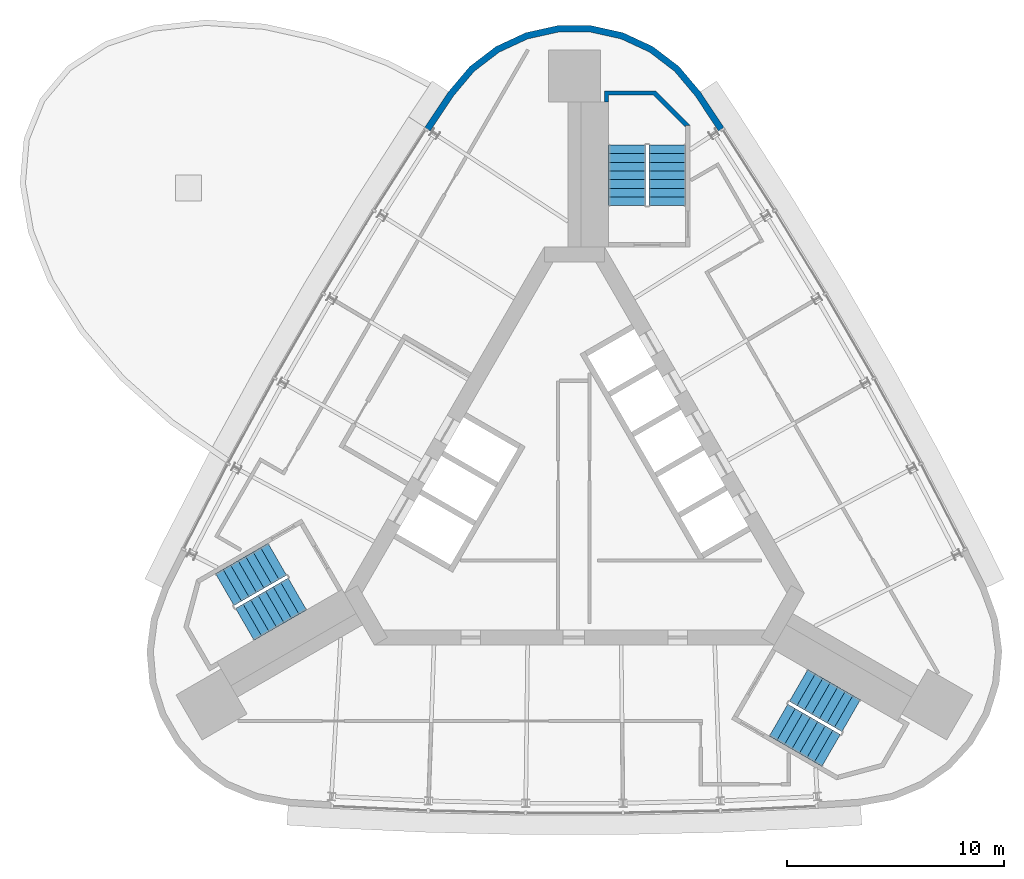
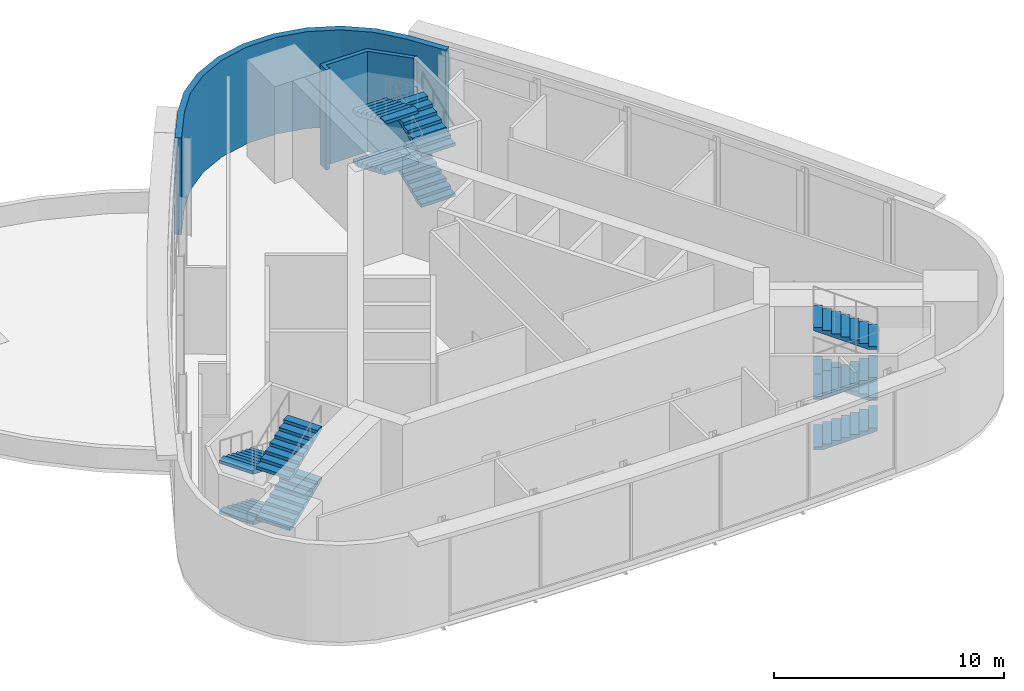
# One storey, part 6 of 8: 12 stair flights, 2 walls, 3 elements without a shape of their own.
"""IFC4 building model written with IfcOpenShell, lengths in metres."""

from ifc_helpers import new_model, si_unit, direction, frame, origin, place, context, subcontext, project, spatial, polyline, outline, extrude, material, layer, layer_set, type_object, element, aggregate, save


model = new_model("IFC4")

# Units and contexts
model_context = context("Model", 3, precision=1e-05, world=origin(), true_north=direction((0.0, 1.0)))
body_context = subcontext(model_context, "Body", "Model", "MODEL_VIEW")
ifc_project = project(units=[si_unit("LENGTHUNIT", "METRE"), si_unit("AREAUNIT", "SQUARE_METRE"), si_unit("VOLUMEUNIT", "CUBIC_METRE"), si_unit("PLANEANGLEUNIT", "RADIAN"), si_unit("MASSUNIT", "GRAM", prefix="KILO")], contexts=[model_context])

# Site, building, storey
site_placement = place(None, origin())
site = spatial("IfcSite", under=ifc_project, at=site_placement, CompositionType="ELEMENT")
building_placement = place(site_placement, origin())
building = spatial("IfcBuilding", under=site, at=building_placement, Name="Noor Cloister Tower", CompositionType="ELEMENT")
storey_placement = place(building_placement, frame((0.0, 0.0, 274.199951171875)))
storey = spatial("IfcBuildingStorey", under=building, at=storey_placement, Name="L70", CompositionType="ELEMENT", Elevation=274.199951171875)

# Walls
ifc_material_1 = material(Name="Limestone", Category="masonry")
ifc_layer = layer(ifc_material_1, 0.300048828125)
ifc_layer_set = layer_set([ifc_layer], Name="Limestone cladding 300")
wall_type_1 = type_object("IfcWallType", Name="Limestone cladding 300", PredefinedType="NOTDEFINED", material=ifc_layer_set)
wall_1_placement = place(storey_placement, origin())
element("IfcWall", 1, at=wall_1_placement, inside=storey, type_object=wall_type_1, Name="Limestone pier cladding L70 3.1", PredefinedType="NOTDEFINED", context=body_context, shape_type="SweptSolid", body=[
    extrude(outline(polyline([(6.9013671875, 16.967529296875), (5.809814453125, 18.609619140625), (4.830078125, 19.771484375), (3.62255859375, 20.69482421875), (2.244140625, 21.33544921875), (0.760009765625, 21.66357421875), (-0.760009765625, 21.66357421875), (-2.244140625, 21.33544921875), (-3.62255859375, 20.69482421875), (-4.830078125, 19.771484375), (-5.809814453125, 18.609619140625), (-6.9013671875, 16.967529296875), (-6.6513671875, 16.801513671875), (-5.5693359375, 18.42919921875), (-4.621826171875, 19.55322265625), (-3.46630859375, 20.4365234375), (-2.1474609375, 21.049560546875), (-0.727294921875, 21.363525390625), (0.727294921875, 21.363525390625), (2.1474609375, 21.049560546875), (3.46630859375, 20.4365234375), (4.621826171875, 19.55322265625), (5.5693359375, 18.42919921875), (6.6513671875, 16.801513671875), (6.9013671875, 16.967529296875)])), origin(), (0.0, 0.0, 1.0), 5.150146484375),
])
ifc_material_2 = material(Name="Concrete C60/75", Category="concrete")
wall_type_2 = type_object("IfcWallType", Name="Stair far end wall C60/75", PredefinedType="SHEAR", material=ifc_material_2)
wall_2_placement = place(storey_placement, frame((0.0, 0.0, -0.199951171875)))
element("IfcWall", 2, at=wall_2_placement, inside=storey, type_object=wall_type_2, Name="Stair enclosure wall ST1 L70 far end", PredefinedType="SHEAR", context=body_context, shape_type="SweptSolid", body=[
    extrude(outline(polyline([(5.335693359375, 17.056396484375), (3.735595703125, 18.656494140625), (1.385498046875, 18.656494140625), (1.385498046875, 18.135009765625), (1.585693359375, 18.135009765625), (1.585693359375, 18.456298828125), (3.65283203125, 18.456298828125), (5.135498046875, 16.9736328125), (5.135498046875, 17.056396484375), (5.135498046875, 17.056396484375), (5.135498046875, 17.056396484375), (5.135498046875, 17.056396484375), (5.135498046875, 17.056396484375), (5.135498046875, 17.056396484375), (5.135498046875, 17.056396484375), (5.135498046875, 17.056396484375), (5.135498046875, 17.056396484375), (5.135498046875, 17.056396484375), (5.135498046875, 17.056396484375), (5.135498046875, 17.056396484375), (5.135498046875, 17.056396484375), (5.135498046875, 17.056396484375), (5.135498046875, 17.056396484375), (5.135498046875, 17.056396484375), (5.135498046875, 17.056396484375), (5.335693359375, 17.056396484375)])), origin(), (0.0, 0.0, 1.0), 5.35009765625),
])

# Stair, stair flights
ifc_material_3 = material(Name="Concrete C40/50", Category="concrete")
stair_type = type_object("IfcStairType", Name="Exit stair 32 risers", PredefinedType="HALF_TURN_STAIR", material=ifc_material_3)
stair_1_placement = place(storey_placement, origin())
stair_1 = element("IfcStair", 3, at=stair_1_placement, inside=storey, type_object=stair_type, Name="Exit stair ST1 L70", PredefinedType="HALF_TURN_STAIR")
ifc_material_4 = material(Name="Concrete C40/50", Category="concrete")
stair_flight_type = type_object("IfcStairFlightType", Name="Exit stair flight", PredefinedType="STRAIGHT", material=ifc_material_4)
stair_flight_1_placement = place(storey_placement, frame((4.28564453125, 13.3564453125, 0.0), z_axis=(0.0, 0.0, 1.0), x_axis=(0.0, 1.0, 0.0)))
stair_flight_1 = element("IfcStairFlight", 4, at=stair_flight_1_placement, type_object=stair_flight_type, Name="ST1 flight 1", NumberOfRisers=8, NumberOfTreads=7, PredefinedType="STRAIGHT", RiserHeight=0.16875, TreadLength=0.4, context=body_context, shape_type="SweptSolid", body=[
    extrude(outline(polyline([(0.0, 0.0), (0.0, 0.168701171875), (0.39990234375, 0.168701171875), (0.39990234375, 0.33740234375), (0.800048828125, 0.33740234375), (0.800048828125, 0.50634765625), (1.199951171875, 0.50634765625), (1.199951171875, 0.675048828125), (1.60009765625, 0.675048828125), (1.60009765625, 0.84375), (2.0, 0.84375), (2.0, 1.012451171875), (2.39990234375, 1.012451171875), (2.39990234375, 1.18115234375), (2.800048828125, 1.18115234375), (2.800048828125, 1.35009765625), (2.800048828125, 1.0185546875), (0.3857421875, 0.0), (0.0, 0.0)])), frame((0.0, 0.85009765625, 0.0), z_axis=(0.0, -1.0, 0.0), x_axis=(1.0, 0.0, 0.0)), (0.0, 0.0, 1.0), 1.699951171875),
])
stair_flight_2_placement = place(storey_placement, frame((2.435546875, 16.156494140625, 1.35009765625), z_axis=(0.0, 0.0, 1.0), x_axis=(0.0, -1.0, 0.0)))
stair_flight_2 = element("IfcStairFlight", 5, at=stair_flight_2_placement, type_object=stair_flight_type, Name="ST1 flight 2", NumberOfRisers=8, NumberOfTreads=7, PredefinedType="STRAIGHT", RiserHeight=0.16875, TreadLength=0.4, context=body_context, shape_type="SweptSolid", body=[
    extrude(outline(polyline([(0.0, 0.0), (0.0, 0.168701171875), (0.39990234375, 0.168701171875), (0.39990234375, 0.33740234375), (0.800048828125, 0.33740234375), (0.800048828125, 0.50634765625), (1.199951171875, 0.50634765625), (1.199951171875, 0.675048828125), (1.60009765625, 0.675048828125), (1.60009765625, 0.84375), (2.0, 0.84375), (2.0, 1.012451171875), (2.39990234375, 1.012451171875), (2.39990234375, 1.18115234375), (2.800048828125, 1.18115234375), (2.800048828125, 1.35009765625), (2.800048828125, 1.0185546875), (0.3857421875, 0.0), (0.0, 0.0)])), frame((0.0, 0.85009765625, 0.0), z_axis=(0.0, -1.0, 0.0), x_axis=(1.0, 0.0, 0.0)), (0.0, 0.0, 1.0), 1.699951171875),
])
stair_flight_3_placement = place(storey_placement, frame((4.28564453125, 13.3564453125, 2.699951171875), z_axis=(0.0, 0.0, 1.0), x_axis=(0.0, 1.0, 0.0)))
stair_flight_3 = element("IfcStairFlight", 6, at=stair_flight_3_placement, type_object=stair_flight_type, Name="ST1 flight 3", NumberOfRisers=8, NumberOfTreads=7, PredefinedType="STRAIGHT", RiserHeight=0.16875, TreadLength=0.4, context=body_context, shape_type="SweptSolid", body=[
    extrude(outline(polyline([(0.0, 0.0), (0.0, 0.168701171875), (0.39990234375, 0.168701171875), (0.39990234375, 0.33740234375), (0.800048828125, 0.33740234375), (0.800048828125, 0.50634765625), (1.199951171875, 0.50634765625), (1.199951171875, 0.675048828125), (1.60009765625, 0.675048828125), (1.60009765625, 0.84375), (2.0, 0.84375), (2.0, 1.012451171875), (2.39990234375, 1.012451171875), (2.39990234375, 1.18115234375), (2.800048828125, 1.18115234375), (2.800048828125, 1.35009765625), (2.800048828125, 1.0185546875), (0.3857421875, 0.0), (0.0, 0.0)])), frame((0.0, 0.85009765625, 0.0), z_axis=(0.0, -1.0, 0.0), x_axis=(1.0, 0.0, 0.0)), (0.0, 0.0, 1.0), 1.699951171875),
])
stair_flight_4_placement = place(storey_placement, frame((2.435546875, 16.156494140625, 4.050048828125), z_axis=(0.0, 0.0, 1.0), x_axis=(0.0, -1.0, 0.0)))
stair_flight_4 = element("IfcStairFlight", 7, at=stair_flight_4_placement, type_object=stair_flight_type, Name="ST1 flight 4", NumberOfRisers=8, NumberOfTreads=7, PredefinedType="STRAIGHT", RiserHeight=0.16875, TreadLength=0.4, context=body_context, shape_type="SweptSolid", body=[
    extrude(outline(polyline([(0.0, 0.0), (0.0, 0.168701171875), (0.39990234375, 0.168701171875), (0.39990234375, 0.33740234375), (0.800048828125, 0.33740234375), (0.800048828125, 0.50634765625), (1.199951171875, 0.50634765625), (1.199951171875, 0.675048828125), (1.60009765625, 0.675048828125), (1.60009765625, 0.84375), (2.0, 0.84375), (2.0, 1.012451171875), (2.39990234375, 1.012451171875), (2.39990234375, 1.18115234375), (2.800048828125, 1.18115234375), (2.800048828125, 1.35009765625), (2.800048828125, 1.0185546875), (0.3857421875, 0.0), (0.0, 0.0)])), frame((0.0, 0.85009765625, 0.0), z_axis=(0.0, -1.0, 0.0), x_axis=(1.0, 0.0, 0.0)), (0.0, 0.0, 1.0), 1.699951171875),
])
aggregate(stair_1, [stair_flight_1, stair_flight_2, stair_flight_3, stair_flight_4])

stair_2_placement = place(storey_placement, origin())
stair_2 = element("IfcStair", 8, at=stair_2_placement, inside=storey, type_object=stair_type, Name="Exit stair ST2 L70", PredefinedType="HALF_TURN_STAIR")
stair_flight_5_placement = place(storey_placement, frame((-13.709716796875, -2.966796875, 0.0), z_axis=(0.0, 0.0, 1.0), x_axis=(-0.866025403784, -0.5, 0.0)))
stair_flight_5 = element("IfcStairFlight", 9, at=stair_flight_5_placement, type_object=stair_flight_type, Name="ST2 flight 1", NumberOfRisers=8, NumberOfTreads=7, PredefinedType="STRAIGHT", RiserHeight=0.16875, TreadLength=0.4, context=body_context, shape_type="SweptSolid", body=[
    extrude(outline(polyline([(0.0, 0.0), (0.0, 0.168701171875), (0.39990234375, 0.168701171875), (0.39990234375, 0.33740234375), (0.800048828125, 0.33740234375), (0.800048828125, 0.50634765625), (1.199951171875, 0.50634765625), (1.199951171875, 0.675048828125), (1.60009765625, 0.675048828125), (1.60009765625, 0.84375), (2.0, 0.84375), (2.0, 1.012451171875), (2.39990234375, 1.012451171875), (2.39990234375, 1.18115234375), (2.800048828125, 1.18115234375), (2.800048828125, 1.35009765625), (2.800048828125, 1.0185546875), (0.3857421875, 0.0), (0.0, 0.0)])), frame((0.0, 0.85009765625, 0.0), z_axis=(0.0, -1.0, 0.0), x_axis=(1.0, 0.0, 0.0)), (0.0, 0.0, 1.0), 1.699951171875),
])
stair_flight_6_placement = place(storey_placement, frame((-15.209716796875, -5.968994140625, 1.35009765625), z_axis=(0.0, 0.0, 1.0), x_axis=(0.866025403784, 0.5, 0.0)))
stair_flight_6 = element("IfcStairFlight", 10, at=stair_flight_6_placement, type_object=stair_flight_type, Name="ST2 flight 2", NumberOfRisers=8, NumberOfTreads=7, PredefinedType="STRAIGHT", RiserHeight=0.16875, TreadLength=0.4, context=body_context, shape_type="SweptSolid", body=[
    extrude(outline(polyline([(0.0, 0.0), (0.0, 0.168701171875), (0.39990234375, 0.168701171875), (0.39990234375, 0.33740234375), (0.800048828125, 0.33740234375), (0.800048828125, 0.50634765625), (1.199951171875, 0.50634765625), (1.199951171875, 0.675048828125), (1.60009765625, 0.675048828125), (1.60009765625, 0.84375), (2.0, 0.84375), (2.0, 1.012451171875), (2.39990234375, 1.012451171875), (2.39990234375, 1.18115234375), (2.800048828125, 1.18115234375), (2.800048828125, 1.35009765625), (2.800048828125, 1.0185546875), (0.3857421875, 0.0), (0.0, 0.0)])), frame((0.0, 0.85009765625, 0.0), z_axis=(0.0, -1.0, 0.0), x_axis=(1.0, 0.0, 0.0)), (0.0, 0.0, 1.0), 1.699951171875),
])
stair_flight_7_placement = place(storey_placement, frame((-13.709716796875, -2.966796875, 2.699951171875), z_axis=(0.0, 0.0, 1.0), x_axis=(-0.866025403784, -0.5, 0.0)))
stair_flight_7 = element("IfcStairFlight", 11, at=stair_flight_7_placement, type_object=stair_flight_type, Name="ST2 flight 3", NumberOfRisers=8, NumberOfTreads=7, PredefinedType="STRAIGHT", RiserHeight=0.16875, TreadLength=0.4, context=body_context, shape_type="SweptSolid", body=[
    extrude(outline(polyline([(0.0, 0.0), (0.0, 0.168701171875), (0.39990234375, 0.168701171875), (0.39990234375, 0.33740234375), (0.800048828125, 0.33740234375), (0.800048828125, 0.50634765625), (1.199951171875, 0.50634765625), (1.199951171875, 0.675048828125), (1.60009765625, 0.675048828125), (1.60009765625, 0.84375), (2.0, 0.84375), (2.0, 1.012451171875), (2.39990234375, 1.012451171875), (2.39990234375, 1.18115234375), (2.800048828125, 1.18115234375), (2.800048828125, 1.35009765625), (2.800048828125, 1.0185546875), (0.3857421875, 0.0), (0.0, 0.0)])), frame((0.0, 0.85009765625, 0.0), z_axis=(0.0, -1.0, 0.0), x_axis=(1.0, 0.0, 0.0)), (0.0, 0.0, 1.0), 1.699951171875),
])
stair_flight_8_placement = place(storey_placement, frame((-15.209716796875, -5.968994140625, 4.050048828125), z_axis=(0.0, 0.0, 1.0), x_axis=(0.866025403784, 0.5, 0.0)))
stair_flight_8 = element("IfcStairFlight", 12, at=stair_flight_8_placement, type_object=stair_flight_type, Name="ST2 flight 4", NumberOfRisers=8, NumberOfTreads=7, PredefinedType="STRAIGHT", RiserHeight=0.16875, TreadLength=0.4, context=body_context, shape_type="SweptSolid", body=[
    extrude(outline(polyline([(0.0, 0.0), (0.0, 0.168701171875), (0.39990234375, 0.168701171875), (0.39990234375, 0.33740234375), (0.800048828125, 0.33740234375), (0.800048828125, 0.50634765625), (1.199951171875, 0.50634765625), (1.199951171875, 0.675048828125), (1.60009765625, 0.675048828125), (1.60009765625, 0.84375), (2.0, 0.84375), (2.0, 1.012451171875), (2.39990234375, 1.012451171875), (2.39990234375, 1.18115234375), (2.800048828125, 1.18115234375), (2.800048828125, 1.35009765625), (2.800048828125, 1.0185546875), (0.3857421875, 0.0), (0.0, 0.0)])), frame((0.0, 0.85009765625, 0.0), z_axis=(0.0, -1.0, 0.0), x_axis=(1.0, 0.0, 0.0)), (0.0, 0.0, 1.0), 1.699951171875),
])
aggregate(stair_2, [stair_flight_5, stair_flight_6, stair_flight_7, stair_flight_8])

stair_3_placement = place(storey_placement, origin())
stair_3 = element("IfcStair", 13, at=stair_3_placement, inside=storey, type_object=stair_type, Name="Exit stair ST3 L70", PredefinedType="HALF_TURN_STAIR")
stair_flight_9_placement = place(storey_placement, frame((9.424072265625, -10.3896484375, 0.0), z_axis=(0.0, 0.0, 1.0), x_axis=(0.866025403784, -0.5, 0.0)))
stair_flight_9 = element("IfcStairFlight", 14, at=stair_flight_9_placement, type_object=stair_flight_type, Name="ST3 flight 1", NumberOfRisers=8, NumberOfTreads=7, PredefinedType="STRAIGHT", RiserHeight=0.16875, TreadLength=0.4, context=body_context, shape_type="SweptSolid", body=[
    extrude(outline(polyline([(0.0, 0.0), (0.0, 0.168701171875), (0.39990234375, 0.168701171875), (0.39990234375, 0.33740234375), (0.800048828125, 0.33740234375), (0.800048828125, 0.50634765625), (1.199951171875, 0.50634765625), (1.199951171875, 0.675048828125), (1.60009765625, 0.675048828125), (1.60009765625, 0.84375), (2.0, 0.84375), (2.0, 1.012451171875), (2.39990234375, 1.012451171875), (2.39990234375, 1.18115234375), (2.800048828125, 1.18115234375), (2.800048828125, 1.35009765625), (2.800048828125, 1.0185546875), (0.3857421875, 0.0), (0.0, 0.0)])), frame((0.0, 0.85009765625, 0.0), z_axis=(0.0, -1.0, 0.0), x_axis=(1.0, 0.0, 0.0)), (0.0, 0.0, 1.0), 1.699951171875),
])
stair_flight_10_placement = place(storey_placement, frame((12.77392578125, -10.1875, 1.35009765625), z_axis=(0.0, 0.0, 1.0), x_axis=(-0.866025403784, 0.5, 0.0)))
stair_flight_10 = element("IfcStairFlight", 15, at=stair_flight_10_placement, type_object=stair_flight_type, Name="ST3 flight 2", NumberOfRisers=8, NumberOfTreads=7, PredefinedType="STRAIGHT", RiserHeight=0.16875, TreadLength=0.4, context=body_context, shape_type="SweptSolid", body=[
    extrude(outline(polyline([(0.0, 0.0), (0.0, 0.168701171875), (0.39990234375, 0.168701171875), (0.39990234375, 0.33740234375), (0.800048828125, 0.33740234375), (0.800048828125, 0.50634765625), (1.199951171875, 0.50634765625), (1.199951171875, 0.675048828125), (1.60009765625, 0.675048828125), (1.60009765625, 0.84375), (2.0, 0.84375), (2.0, 1.012451171875), (2.39990234375, 1.012451171875), (2.39990234375, 1.18115234375), (2.800048828125, 1.18115234375), (2.800048828125, 1.35009765625), (2.800048828125, 1.0185546875), (0.3857421875, 0.0), (0.0, 0.0)])), frame((0.0, 0.85009765625, 0.0), z_axis=(0.0, -1.0, 0.0), x_axis=(1.0, 0.0, 0.0)), (0.0, 0.0, 1.0), 1.699951171875),
])
stair_flight_11_placement = place(storey_placement, frame((9.424072265625, -10.3896484375, 2.699951171875), z_axis=(0.0, 0.0, 1.0), x_axis=(0.866025403784, -0.5, 0.0)))
stair_flight_11 = element("IfcStairFlight", 16, at=stair_flight_11_placement, type_object=stair_flight_type, Name="ST3 flight 3", NumberOfRisers=8, NumberOfTreads=7, PredefinedType="STRAIGHT", RiserHeight=0.16875, TreadLength=0.4, context=body_context, shape_type="SweptSolid", body=[
    extrude(outline(polyline([(0.0, 0.0), (0.0, 0.168701171875), (0.39990234375, 0.168701171875), (0.39990234375, 0.33740234375), (0.800048828125, 0.33740234375), (0.800048828125, 0.50634765625), (1.199951171875, 0.50634765625), (1.199951171875, 0.675048828125), (1.60009765625, 0.675048828125), (1.60009765625, 0.84375), (2.0, 0.84375), (2.0, 1.012451171875), (2.39990234375, 1.012451171875), (2.39990234375, 1.18115234375), (2.800048828125, 1.18115234375), (2.800048828125, 1.35009765625), (2.800048828125, 1.0185546875), (0.3857421875, 0.0), (0.0, 0.0)])), frame((0.0, 0.85009765625, 0.0), z_axis=(0.0, -1.0, 0.0), x_axis=(1.0, 0.0, 0.0)), (0.0, 0.0, 1.0), 1.699951171875),
])
stair_flight_12_placement = place(storey_placement, frame((12.77392578125, -10.1875, 4.050048828125), z_axis=(0.0, 0.0, 1.0), x_axis=(-0.866025403784, 0.5, 0.0)))
stair_flight_12 = element("IfcStairFlight", 17, at=stair_flight_12_placement, type_object=stair_flight_type, Name="ST3 flight 4", NumberOfRisers=8, NumberOfTreads=7, PredefinedType="STRAIGHT", RiserHeight=0.16875, TreadLength=0.4, context=body_context, shape_type="SweptSolid", body=[
    extrude(outline(polyline([(0.0, 0.0), (0.0, 0.168701171875), (0.39990234375, 0.168701171875), (0.39990234375, 0.33740234375), (0.800048828125, 0.33740234375), (0.800048828125, 0.50634765625), (1.199951171875, 0.50634765625), (1.199951171875, 0.675048828125), (1.60009765625, 0.675048828125), (1.60009765625, 0.84375), (2.0, 0.84375), (2.0, 1.012451171875), (2.39990234375, 1.012451171875), (2.39990234375, 1.18115234375), (2.800048828125, 1.18115234375), (2.800048828125, 1.35009765625), (2.800048828125, 1.0185546875), (0.3857421875, 0.0), (0.0, 0.0)])), frame((0.0, 0.85009765625, 0.0), z_axis=(0.0, -1.0, 0.0), x_axis=(1.0, 0.0, 0.0)), (0.0, 0.0, 1.0), 1.699951171875),
])
aggregate(stair_3, [stair_flight_9, stair_flight_10, stair_flight_11, stair_flight_12])

save(model, "model.ifc")
